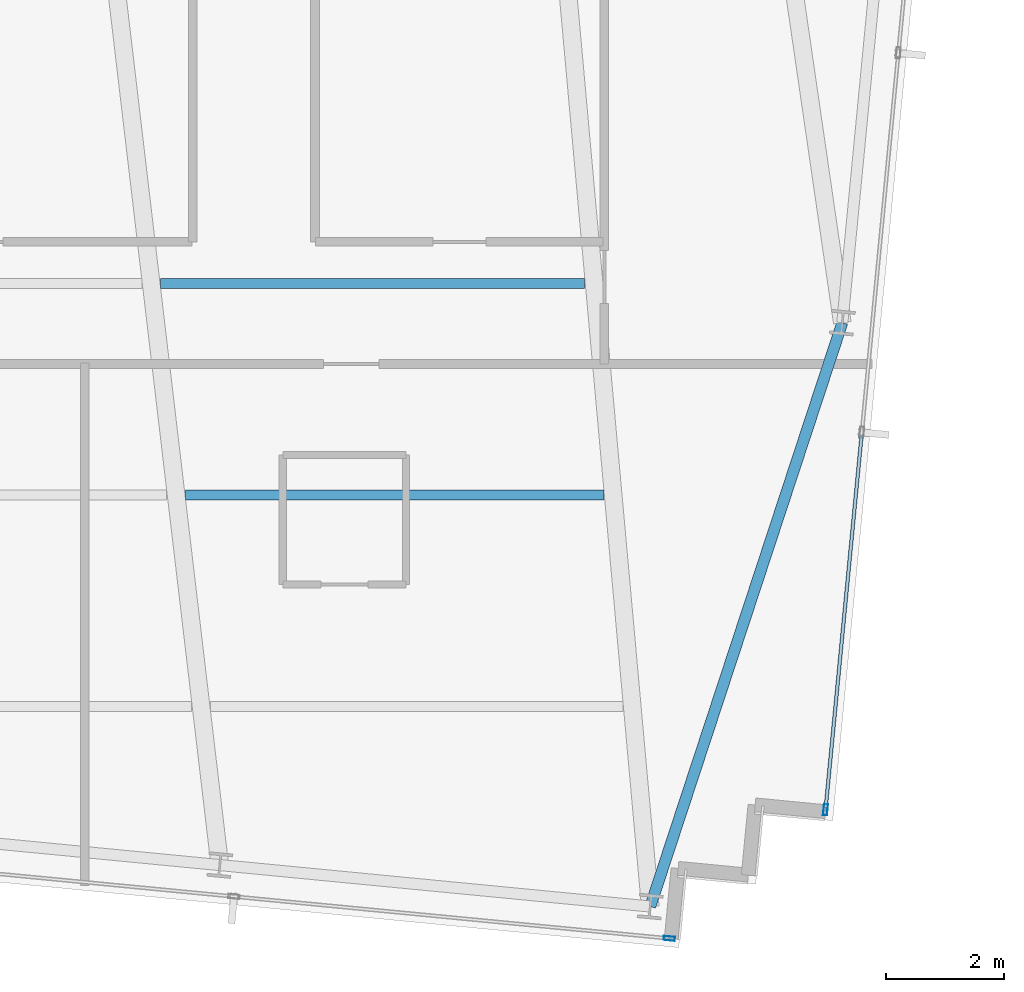
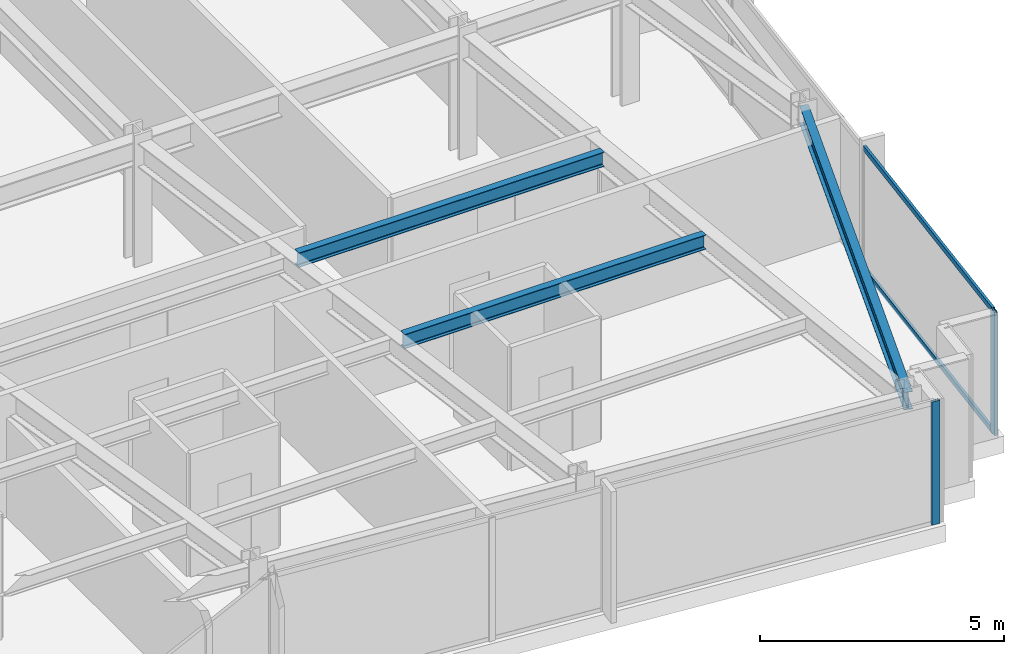
# One storey, part 14 of 37: 4 members, 3 beams, 2 elements without a shape of their own.
"""IFC4 building model written with IfcOpenShell, lengths in metres."""

from ifc_helpers import new_model, si_unit, direction, frame, origin, origin_2d, place, context, subcontext, project, spatial, hollow_rectangle, i_section, extrude, material, material_profile, profile_set, type_object, element, aggregate, save


model = new_model("IFC4")

# Units and contexts
model_context = context("Model", 3, precision=1e-05, world=origin(), true_north=direction((0.0, 1.0)))
body_context = subcontext(model_context, "Body", "Model", "MODEL_VIEW")
ifc_project = project(units=[si_unit("LENGTHUNIT", "METRE"), si_unit("AREAUNIT", "SQUARE_METRE"), si_unit("VOLUMEUNIT", "CUBIC_METRE"), si_unit("PLANEANGLEUNIT", "RADIAN"), si_unit("MASSUNIT", "GRAM", prefix="KILO")], contexts=[model_context])

# Site, building, storey
site_placement = place(None, origin())
site = spatial("IfcSite", under=ifc_project, at=site_placement, CompositionType="ELEMENT")
building_placement = place(site_placement, origin())
building = spatial("IfcBuilding", under=site, at=building_placement, Name="Yelkora Congress Tower", CompositionType="ELEMENT")
storey_placement = place(building_placement, frame((0.0, 0.0, 149.0)))
storey = spatial("IfcBuildingStorey", under=building, at=storey_placement, Name="L40", CompositionType="ELEMENT", Elevation=149.0)

# Beams
ifc_material_1 = material(Name="Steel S355J2", Category="steel")
ifc_material_profile_1 = material_profile(ifc_material_1, i_section(OverallWidth=0.169921875, OverallDepth=0.360107421875, WebThickness=0.008056640625, FlangeThickness=0.0126953125, FilletRadius=0.01806640625, at=origin_2d()), Name="IPE 360")
ifc_profile_set_1 = profile_set([ifc_material_profile_1], Name="Steel S355J2")
beam_type_1 = type_object("IfcBeamType", Name="BM-JOIST-IPE360", PredefinedType="JOIST", material=ifc_profile_set_1)
beam_1_placement = place(storey_placement, frame((47.27587890625, 16.421142578125, 2.89990234375), z_axis=(1.0, 0.0, 0.0), x_axis=(0.0, 1.0, 0.0)))
element("IfcBeam", 1, at=beam_1_placement, inside=storey, type_object=beam_type_1, Name="L40 Composite Floor Joist 11", PredefinedType="JOIST", context=body_context, shape_type="SweptSolid", body=[
    extrude(i_section(OverallWidth=0.169921875, OverallDepth=0.360107421875, WebThickness=0.008056640625, FlangeThickness=0.0126953125, FilletRadius=0.01806640625, at=origin_2d()), origin(), (0.0, 0.0, 1.0), 7.115234375),
])
beam_2_placement = place(storey_placement, frame((46.851318359375, 20.021240234375, 2.89990234375), z_axis=(1.0, 0.0, 0.0), x_axis=(0.0, 1.0, 0.0)))
element("IfcBeam", 2, at=beam_2_placement, inside=storey, type_object=beam_type_1, Name="L40 Composite Floor Joist 18", PredefinedType="JOIST", context=body_context, shape_type="SweptSolid", body=[
    extrude(i_section(OverallWidth=0.169921875, OverallDepth=0.360107421875, WebThickness=0.008056640625, FlangeThickness=0.0126953125, FilletRadius=0.01806640625, at=origin_2d()), origin(), (0.0, 0.0, 1.0), 7.215576171875),
])
ifc_material_profile_2 = material_profile(ifc_material_1, i_section(OverallWidth=0.18994140625, OverallDepth=0.449951171875, WebThickness=0.009521484375, FlangeThickness=0.0146484375, FilletRadius=0.02099609375, at=origin_2d()), Name="IPE 450")
ifc_profile_set_2 = profile_set([ifc_material_profile_2], Name="Steel S355J2")
beam_type_2 = type_object("IfcBeamType", Name="BM-SPAN-IPE450", PredefinedType="SPANDREL", material=ifc_profile_set_2)
beam_3_placement = place(storey_placement, frame((55.18212890625, 9.421142578125, 2.85498046875), z_axis=(0.312456737339, 0.949931990877, 0.0), x_axis=(-0.949931990877, 0.312456737339, 0.0)))
element("IfcBeam", 3, at=beam_3_placement, inside=storey, type_object=beam_type_2, Name="L40 Perimeter Beam 9", PredefinedType="SPANDREL", context=body_context, shape_type="SweptSolid", body=[
    extrude(i_section(OverallWidth=0.18994140625, OverallDepth=0.449951171875, WebThickness=0.009521484375, FlangeThickness=0.0146484375, FilletRadius=0.02099609375, at=origin_2d()), origin(), (0.0, 0.0, 1.0), 10.4560546875),
])

# Curtain wall, member
ifc_material_2 = material(Name="Anodised aluminium and insulated glass", Category="aluminium")
curtain_wall_type = type_object("IfcCurtainWallType", Name="CW-SYS-B3", PredefinedType="NOTDEFINED", material=ifc_material_2)
curtain_wall_1_placement = place(storey_placement, origin())
curtain_wall_1 = element("IfcCurtainWall", 4, at=curtain_wall_1_placement, inside=storey, type_object=curtain_wall_type, Name="L40 Unitised Curtain Wall 15", PredefinedType="NOTDEFINED")
ifc_material_3 = material(Name="Anodised aluminium 6063-T6", Category="aluminium")
ifc_material_profile_3 = material_profile(ifc_material_3, hollow_rectangle(XDim=0.070068359375, YDim=0.18994140625, WallThickness=0.00390625, at=origin_2d()), Name="ALU 70x190x4")
ifc_profile_set_3 = profile_set([ifc_material_profile_3], Name="Anodised aluminium 6063-T6")
member_type_1 = type_object("IfcMemberType", Name="MEM-ML-B3", PredefinedType="MULLION", material=ifc_profile_set_3)
member_1_placement = place(storey_placement, frame((58.163818359375, 11.068115234375, 0.0), z_axis=(0.0, 0.0, 1.0), x_axis=(0.995396565076, -0.095841944023, 0.0)))
member_1 = element("IfcMember", 5, at=member_1_placement, type_object=member_type_1, Name="CW-B3 mullion 6", PredefinedType="MULLION", context=body_context, shape_type="SweptSolid", body=[
    extrude(hollow_rectangle(XDim=0.070068359375, YDim=0.18994140625, WallThickness=0.00390625, at=origin_2d()), origin(), (0.0, 0.0, 1.0), 3.080078125),
])

curtain_wall_2_placement = place(storey_placement, origin())
curtain_wall_2 = element("IfcCurtainWall", 6, at=curtain_wall_2_placement, inside=storey, type_object=curtain_wall_type, Name="L40 Unitised Curtain Wall 20", PredefinedType="NOTDEFINED")
member_2_placement = place(storey_placement, frame((55.506591796875, 8.877685546875, 0.0), z_axis=(0.0, 0.0, 1.0), x_axis=(-0.095844680679, -0.995396301573, 0.0)))
member_2 = element("IfcMember", 7, at=member_2_placement, type_object=member_type_1, Name="CW-B3 mullion 1", PredefinedType="MULLION", context=body_context, shape_type="SweptSolid", body=[
    extrude(hollow_rectangle(XDim=0.070068359375, YDim=0.18994140625, WallThickness=0.00390625, at=origin_2d()), origin(), (0.0, 0.0, 1.0), 3.080078125),
])
aggregate(curtain_wall_2, [member_2])

# Member
ifc_material_profile_4 = material_profile(ifc_material_3, hollow_rectangle(XDim=0.06005859375, YDim=0.1298828125, WallThickness=0.00390625, at=origin_2d()), Name="ALU 60x130x4")
ifc_profile_set_4 = profile_set([ifc_material_profile_4], Name="Anodised aluminium 6063-T6")
member_type_2 = type_object("IfcMemberType", Name="MEM-TR-B3", PredefinedType="USERDEFINED", material=ifc_profile_set_4)
member_3_placement = place(storey_placement, frame((58.778564453125, 17.45263671875, 0.030029296875), z_axis=(-0.095869192297, -0.995393941095, 0.0), x_axis=(0.995393941095, -0.095869192297, 0.0)))
member_3 = element("IfcMember", 8, at=member_3_placement, type_object=member_type_2, Name="CW-B3 transom 5.1", ObjectType="TRANSOM", PredefinedType="USERDEFINED", context=body_context, shape_type="SweptSolid", body=[
    extrude(hollow_rectangle(XDim=0.06005859375, YDim=0.1298828125, WallThickness=0.00390625, at=origin_2d()), origin(), (0.0, 0.0, 1.0), 6.379150390625),
])

member_4_placement = place(storey_placement, frame((58.778564453125, 17.45263671875, 3.050048828125), z_axis=(-0.095869192297, -0.995393941095, 0.0), x_axis=(0.995393941095, -0.095869192297, 0.0)))
member_4 = element("IfcMember", 9, at=member_4_placement, type_object=member_type_2, Name="CW-B3 transom 5.2", ObjectType="TRANSOM", PredefinedType="USERDEFINED", context=body_context, shape_type="SweptSolid", body=[
    extrude(hollow_rectangle(XDim=0.06005859375, YDim=0.1298828125, WallThickness=0.00390625, at=origin_2d()), origin(), (0.0, 0.0, 1.0), 6.379150390625),
])

aggregate(curtain_wall_1, [member_1, member_3, member_4])

save(model, "model.ifc")
